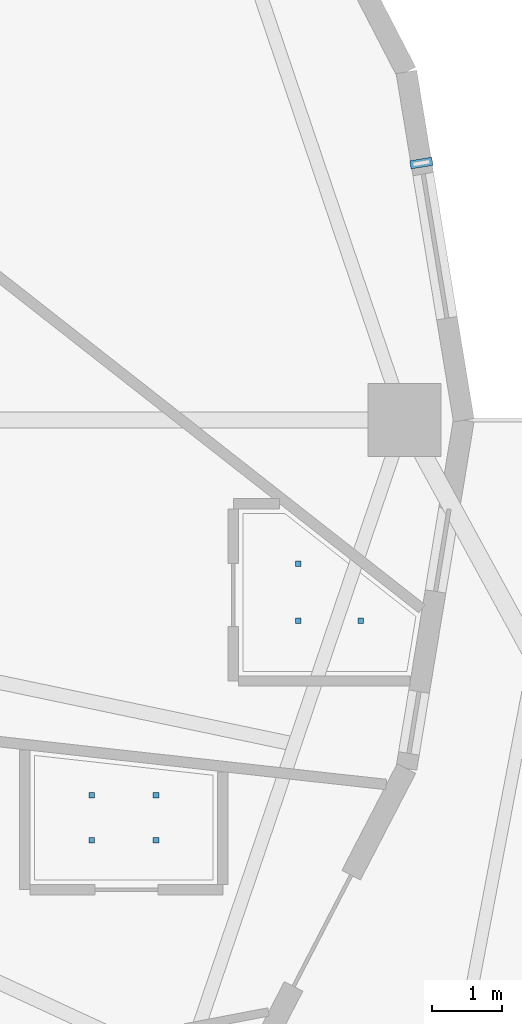
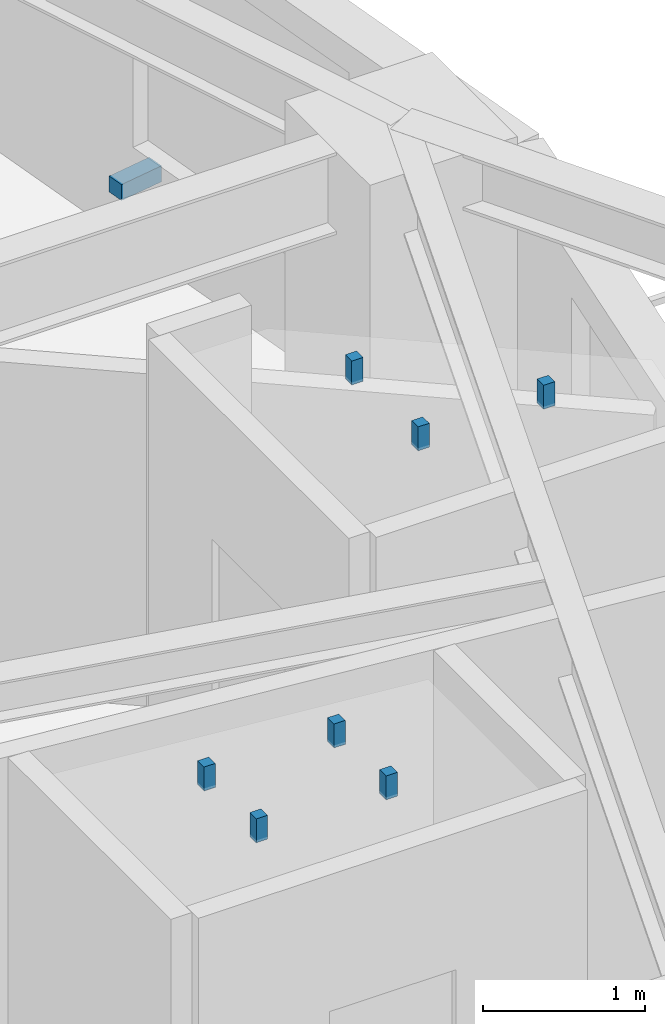
# One storey, part 8 of 14: 8 discrete accessories.
"""IFC4 building model written with IfcOpenShell, lengths in metres."""

from ifc_helpers import new_model, si_unit, direction, frame, origin, origin_2d, place, context, subcontext, project, spatial, rectangle, extrude, material, type_object, element, save


model = new_model("IFC4")

# Units and contexts
model_context = context("Model", 3, precision=1e-05, world=origin(), true_north=direction((0.0, 1.0)))
body_context = subcontext(model_context, "Body", "Model", "MODEL_VIEW")
ifc_project = project(units=[si_unit("LENGTHUNIT", "METRE"), si_unit("AREAUNIT", "SQUARE_METRE"), si_unit("VOLUMEUNIT", "CUBIC_METRE"), si_unit("PLANEANGLEUNIT", "RADIAN"), si_unit("MASSUNIT", "GRAM", prefix="KILO")], contexts=[model_context])

# Site, building, storey
site_placement = place(None, origin())
site = spatial("IfcSite", under=ifc_project, at=site_placement, CompositionType="ELEMENT")
building_placement = place(site_placement, origin())
building = spatial("IfcBuilding", under=site, at=building_placement, Name="Kolvaren Gate Tower and Convention Centre", CompositionType="ELEMENT")
storey_placement = place(building_placement, frame((0.0, 0.0, 112.10009765625)))
storey = spatial("IfcBuildingStorey", under=building, at=storey_placement, Name="L27", CompositionType="ELEMENT", Elevation=112.10009765625)

# Discrete accessories
ifc_material_1 = material(Name="Anodized Architectural Aluminium Alloy 6063-T6", Category="aluminium")
discrete_accessory_type_1 = type_object("IfcDiscreteAccessoryType", Name="ARCH-ACC-BRACKET-120", PredefinedType="BRACKET", material=ifc_material_1)
discrete_accessory_placement = place(storey_placement, frame((53.7041015625, 30.69775390625, 0.289794921875), z_axis=(0.0, 0.0, 1.0), x_axis=(0.162389178836, -0.986726788223, 0.0)))
element("IfcDiscreteAccessory", 1, at=discrete_accessory_placement, inside=storey, type_object=discrete_accessory_type_1, Name="Ceramic Fin Wall Anchor Bracket FBK-L27-00", PredefinedType="BRACKET", context=body_context, shape_type="SweptSolid", body=[
    extrude(rectangle(XDim=0.1201171875, YDim=0.320068359375, at=origin_2d()), origin(), (0.0, 0.0, 1.0), 0.1201171875),
])
ifc_material_2 = material(Name="Brushed Stainless Steel Grade 316L", Category="steel")
discrete_accessory_type_2 = type_object("IfcDiscreteAccessoryType", Name="ARCH-ACC-HANGER-80", PredefinedType="BRACKET", material=ifc_material_2)
for number, where, z_axis, x_axis, name in (
    (2, (48.9619140625, 20.962890625, 2.94970703125), (0.0, 0.0, 1.0), (1.0, 0.0, 0.0), "En-suite Bathroom (HTL-L27-05) Ceiling Suspension Hanger Clip 1"),
    (3, (49.887939453125, 20.962890625, 2.94970703125), (0.0, 0.0, 1.0), (1.0, 0.0, 0.0), "En-suite Bathroom (HTL-L27-05) Ceiling Suspension Hanger Clip 2"),
    (4, (48.9619140625, 21.60693359375, 2.94970703125), (0.0, 0.0, 1.0), (1.0, 0.0, 0.0), "En-suite Bathroom (HTL-L27-05) Ceiling Suspension Hanger Clip 3"),
    (5, (49.887939453125, 21.60693359375, 2.94970703125), (0.0, 0.0, 1.0), (1.0, 0.0, 0.0), "En-suite Bathroom (HTL-L27-05) Ceiling Suspension Hanger Clip 4"),
    (6, (51.93505859375, 24.115966796875, 2.94970703125), (0.0, 0.0, 1.0), (1.0, 0.0, 0.0), "En-suite Bathroom (HTL-L27-06) Ceiling Suspension Hanger Clip 1"),
    (7, (52.830078125, 24.115966796875, 2.94970703125), (0.0, 0.0, 1.0), (1.0, 0.0, 0.0), "En-suite Bathroom (HTL-L27-06) Ceiling Suspension Hanger Clip 2"),
    (8, (51.93505859375, 24.93408203125, 2.94970703125), (0.0, 0.0, 1.0), (1.0, 0.0, 0.0), "En-suite Bathroom (HTL-L27-06) Ceiling Suspension Hanger Clip 3"),
):
    element("IfcDiscreteAccessory", number, at=place(storey_placement, frame(where, z_axis=z_axis, x_axis=x_axis)), inside=storey, type_object=discrete_accessory_type_2, Name=name, PredefinedType="BRACKET", context=body_context, shape_type="SweptSolid", body=[
        extrude(rectangle(XDim=0.080078125, YDim=0.080078125, at=origin_2d()), origin(), (0.0, 0.0, 1.0), 0.179931640625),
    ])

save(model, "model.ifc")
